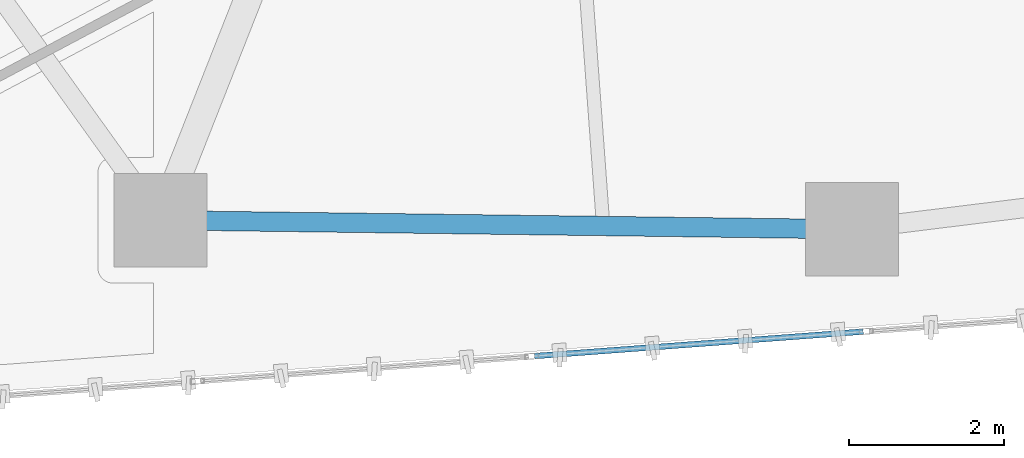
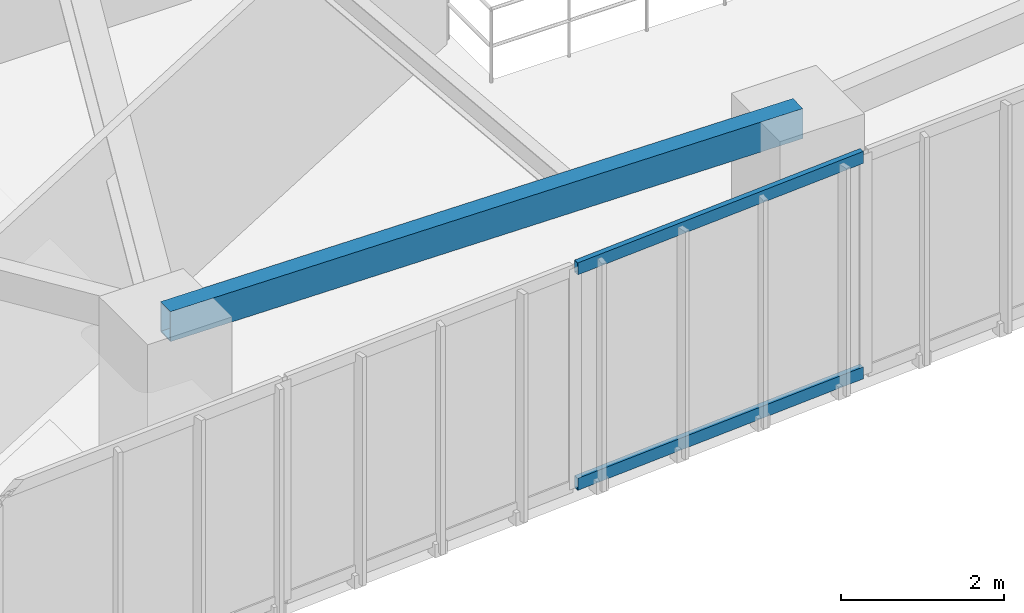
# One storey, part 3 of 23: 2 members, 1 beam, 1 element without a shape of its own.
"""IFC4 building model written with IfcOpenShell, lengths in metres."""

from ifc_helpers import new_model, si_unit, direction, frame, origin, origin_2d, place, context, subcontext, project, spatial, hollow_rectangle, extrude, source, transform, mapped, material, layer, layer_set, material_profile, profile_set, type_object, type_shapes, element, aggregate, save


model = new_model("IFC4")

# Units and contexts
model_context = context("Model", 3, precision=1e-05, world=origin(), true_north=direction((0.0, 1.0)))
body_context = subcontext(model_context, "Body", "Model", "MODEL_VIEW")
ifc_project = project(units=[si_unit("LENGTHUNIT", "METRE"), si_unit("AREAUNIT", "SQUARE_METRE"), si_unit("VOLUMEUNIT", "CUBIC_METRE"), si_unit("PLANEANGLEUNIT", "RADIAN"), si_unit("MASSUNIT", "GRAM", prefix="KILO")], contexts=[model_context])

# Site, building, storey
site_placement = place(None, origin())
site = spatial("IfcSite", under=ifc_project, at=site_placement, CompositionType="ELEMENT")
building_placement = place(site_placement, origin())
building = spatial("IfcBuilding", under=site, at=building_placement, Name="Talar Marvaseh", CompositionType="ELEMENT")
storey_placement = place(building_placement, frame((0.0, 0.0, 103.800048828125)))
storey = spatial("IfcBuildingStorey", under=building, at=storey_placement, Name="L26", CompositionType="ELEMENT", Elevation=103.800048828125)

# Beam
ifc_material_1 = material(Name="Steel S355", Category="steel")
ifc_material_profile_1 = material_profile(ifc_material_1, hollow_rectangle(XDim=0.25, YDim=0.449951171875, WallThickness=0.01611328125, at=origin_2d()), Name="RHS450x250x16")
ifc_profile_set_1 = profile_set([ifc_material_profile_1], Name="Steel S355")
beam_type = type_object("IfcBeamType", Name="Zone 2 Perimeter Spandrel Beam RHS450x250x16", PredefinedType="SPANDREL", material=ifc_profile_set_1)
beam_placement = place(storey_placement, frame((22.804931640625, 13.18310546875, 3.0849609375), z_axis=(-0.999915383581, 0.013008677034, 0.0), x_axis=(-0.013008677034, -0.999915383581, 0.0)))
element("IfcBeam", 1, at=beam_placement, inside=storey, type_object=beam_type, Name="L26 Zone 2 Perimeter Spandrel Beam RHS450x250x16", PredefinedType="SPANDREL", context=body_context, shape_type="SweptSolid", body=[
    extrude(hollow_rectangle(XDim=0.25, YDim=0.449951171875, WallThickness=0.01611328125, at=origin_2d()), origin(), (0.0, 0.0, 1.0), 8.91455078125),
])

# Curtain wall, members
ifc_material_2 = material(Name="Architectural Aluminium", Category="aluminium")
ifc_layer = layer(ifc_material_2, 0.199951171875)
ifc_layer_set = layer_set([ifc_layer], Name="Architectural Aluminium")
curtain_wall_type = type_object("IfcCurtainWallType", Name="Unitised Acoustic Library Curtain Wall Z2", PredefinedType="NOTDEFINED", material=ifc_layer_set)
curtain_wall_placement = place(storey_placement, origin())
curtain_wall = element("IfcCurtainWall", 2, at=curtain_wall_placement, inside=storey, type_object=curtain_wall_type, Name="L26 Unitised Acoustic Library Curtain Wall Z2", PredefinedType="NOTDEFINED")
ifc_material_profile_2 = material_profile(ifc_material_2, hollow_rectangle(XDim=0.074951171875, YDim=0.179931640625, WallThickness=0.0048828125, at=origin_2d()), Name="RHS180x75x5")
ifc_profile_set_2 = profile_set([ifc_material_profile_2], Name="Architectural Aluminium")
member_type = type_object("IfcMemberType", Name="Unitised Curtain Wall Transom RHS180x75x5", PredefinedType="USERDEFINED", material=ifc_profile_set_2)
shared_shape = source(origin(), body_context, "Body", "SweptSolid", [
    extrude(hollow_rectangle(XDim=0.074951171875, YDim=0.179931640625, WallThickness=0.0048828125, at=origin_2d()), origin(), (0.0, 0.0, 1.0), 4.24853515625),
])
type_shapes(member_type, [shared_shape])
member_1_placement = place(storey_placement, frame((22.948486328125, 11.86376953125, 0.037353515625), z_axis=(-0.997235833082, -0.074301367533, 0.0), x_axis=(0.074301367533, -0.997235833082, 0.0)))
member_1 = element("IfcMember", 3, at=member_1_placement, type_object=member_type, Name="CW-Z2 transom 3.1", ObjectType="TRANSOM", PredefinedType="USERDEFINED", context=body_context, shape_type="MappedRepresentation", body=[
    mapped(shared_shape, transform((0.0, 0.0, 0.0), x_axis=(1.0, 0.0, 0.0), y_axis=(0.0, 1.0, 0.0), z_axis=(0.0, 0.0, 1.0), scale=1.0)),
])
member_2_placement = place(storey_placement, frame((22.948486328125, 11.86376953125, 3.2724609375), z_axis=(-0.997235833082, -0.074301367533, 0.0), x_axis=(0.074301367533, -0.997235833082, 0.0)))
member_2 = element("IfcMember", 4, at=member_2_placement, type_object=member_type, Name="CW-Z2 transom 3.2", ObjectType="TRANSOM", PredefinedType="USERDEFINED", context=body_context, shape_type="MappedRepresentation", body=[
    mapped(shared_shape, transform((0.0, 0.0, 0.0), x_axis=(1.0, 0.0, 0.0), y_axis=(0.0, 1.0, 0.0), z_axis=(0.0, 0.0, 1.0), scale=1.0)),
])
aggregate(curtain_wall, [member_1, member_2])

save(model, "model.ifc")
